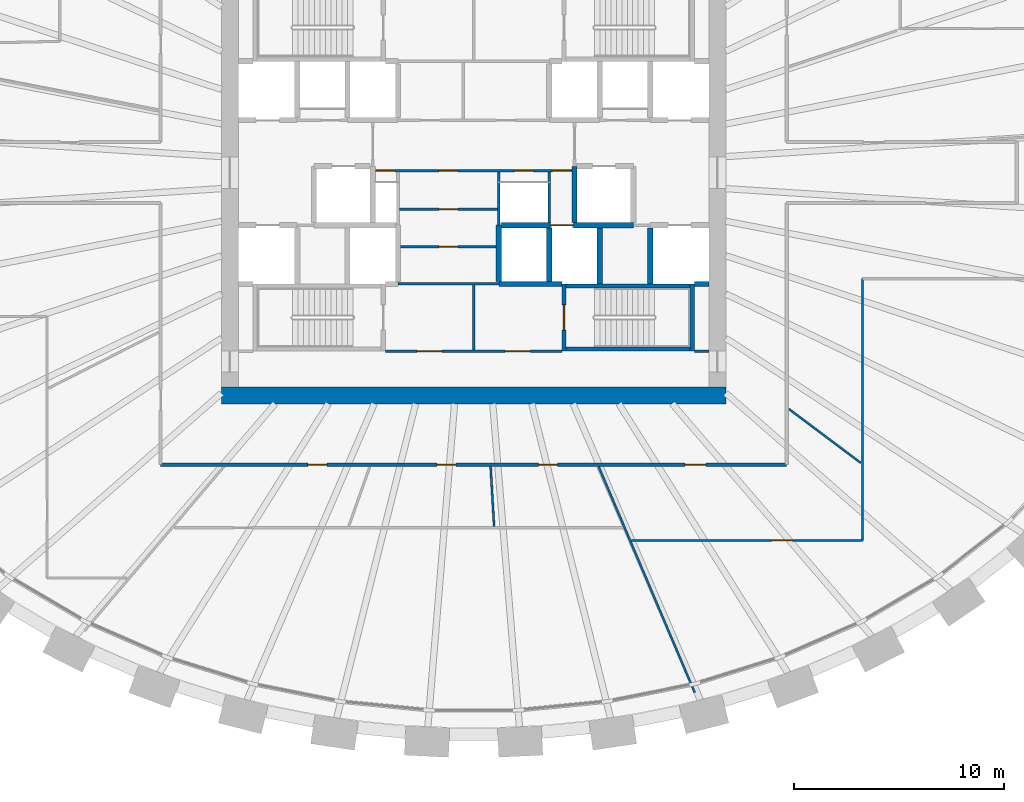
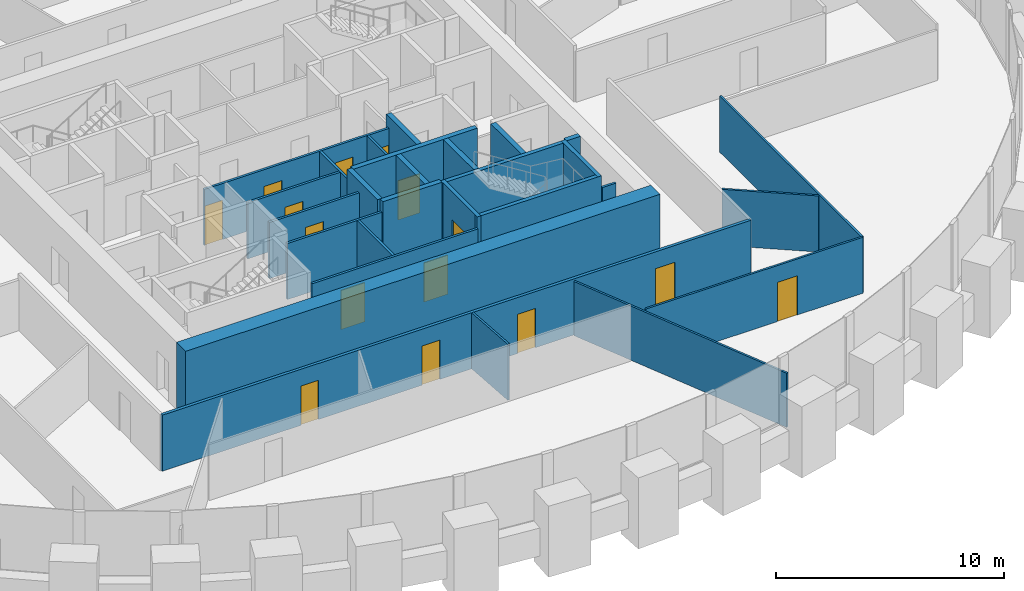
# One storey, part 7 of 11: 28 walls, 15 doors, 15 openings.
"""IFC4 building model written with IfcOpenShell, lengths in metres."""

from ifc_helpers import new_model, si_unit, direction, frame, frame_2d, origin, place, context, subcontext, project, spatial, rectangle, extrude, source, transform, mapped, material, layer, layer_set, type_object, element, fill, save


model = new_model("IFC4")

# Units and contexts
model_context = context("Model", 3, precision=1e-05, world=origin(), true_north=direction((0.0, 1.0)))
body_context = subcontext(model_context, "Body", "Model", "MODEL_VIEW")
ifc_project = project(units=[si_unit("LENGTHUNIT", "METRE"), si_unit("AREAUNIT", "SQUARE_METRE"), si_unit("VOLUMEUNIT", "CUBIC_METRE"), si_unit("PLANEANGLEUNIT", "RADIAN"), si_unit("MASSUNIT", "GRAM", prefix="KILO")], contexts=[model_context])

# Site, building, storey
site_placement = place(None, origin())
site = spatial("IfcSite", under=ifc_project, at=site_placement, CompositionType="ELEMENT")
building_placement = place(site_placement, origin())
building = spatial("IfcBuilding", under=site, at=building_placement, Name="Embergate Tower", CompositionType="ELEMENT")
storey_placement = place(building_placement, frame((0.0, 0.0, 230.699951171875)))
storey = spatial("IfcBuildingStorey", under=building, at=storey_placement, Name="L53", CompositionType="ELEMENT", Elevation=230.699951171875)

# Walls
ifc_material_1 = material(Name="Concrete C70", Category="concrete")
ifc_layer_1 = layer(ifc_material_1, 0.800048828125)
ifc_layer_set_1 = layer_set([ifc_layer_1], Name="Concrete C70")
wall_type_1 = type_object("IfcWallType", Name="Core outer wall C70 800", PredefinedType="SHEAR", material=ifc_layer_set_1)
shared_shape_1 = source(origin(), body_context, "Body", "SweptSolid", [
    extrude(rectangle(XDim=24.0, YDim=0.800048828125, at=frame_2d((12.0, 0.0))), origin(), (0.0, 0.0, 1.0), 3.800048828125),
])
wall_1_placement = place(storey_placement, frame((-12.0, -10.60009765625, -0.199951171875), z_axis=(0.0, 0.0, 1.0), x_axis=(1.0, 0.0, 0.0)))
element("IfcWall", 1, at=wall_1_placement, inside=storey, type_object=wall_type_1, Name="CW-L53-S", PredefinedType="SHEAR", context=body_context, shape_type="MappedRepresentation", body=[
    mapped(shared_shape_1, transform((0.0, 0.0, 0.0))),
])
ifc_material_2 = material(Name="Concrete C50", Category="concrete")
ifc_layer_2 = layer(ifc_material_2, 0.25)
ifc_layer_set_2 = layer_set([ifc_layer_2], Name="Concrete C50")
wall_type_2 = type_object("IfcWallType", Name="Hoistway wall reinforced concrete 250", PredefinedType="SHEAR", material=ifc_layer_set_2)
shared_shape_2 = source(origin(), body_context, "Body", "SweptSolid", [
    extrude(rectangle(XDim=2.675048828125, YDim=0.25, at=frame_2d((1.33740234375, 0.0))), origin(), (0.0, 0.0, 1.0), 3.60009765625),
])
for number, where, z_axis, x_axis, name in (
    (2, (1.199951171875, -2.5, 0.0), (0.0, 0.0, 1.0), (0.0, -1.0, 0.0), "HW-1 wall"),
    (3, (4.800048828125, -2.375, 0.0), (0.0, 0.0, 1.0), (0.0, 1.0, 0.0), "HW-1 wall"),
):
    element("IfcWall", number, at=place(storey_placement, frame(where, z_axis=z_axis, x_axis=x_axis)), inside=storey, type_object=wall_type_2, Name=name, PredefinedType="SHEAR", context=body_context, shape_type="MappedRepresentation", body=[
        mapped(shared_shape_2, transform((0.0, 0.0, 0.0))),
    ])
ifc_layer_3 = layer(ifc_material_2, 0.199951171875)
ifc_layer_set_3 = layer_set([ifc_layer_3], Name="Concrete C50")
wall_type_3 = type_object("IfcWallType", Name="Stair enclosure wall reinforced concrete 250", PredefinedType="SHEAR", material=ifc_layer_set_3)
shared_shape_3 = source(origin(), body_context, "Body", "SweptSolid", [
    extrude(rectangle(XDim=6.300048828125, YDim=0.199951171875, at=frame_2d((3.14990234375, 0.0))), origin(), (0.0, 0.0, 1.0), 3.60009765625),
])
for number, where, z_axis, x_axis, name in (
    (4, (4.199951171875, -5.39990234375, 0.0), (0.0, 0.0, 1.0), (1.0, 0.0, 0.0), "SE-1 wall"),
    (5, (4.199951171875, -8.39990234375, 0.0), (0.0, 0.0, 1.0), (1.0, 0.0, 0.0), "SE-1 wall"),
):
    element("IfcWall", number, at=place(storey_placement, frame(where, z_axis=z_axis, x_axis=x_axis)), inside=storey, type_object=wall_type_3, Name=name, PredefinedType="SHEAR", context=body_context, shape_type="MappedRepresentation", body=[
        mapped(shared_shape_3, transform((0.0, 0.0, 0.0))),
    ])
shared_shape_4 = source(origin(), body_context, "Body", "SweptSolid", [
    extrude(rectangle(XDim=2.550048828125, YDim=0.25, at=frame_2d((1.27490234375, 0.0))), origin(), (0.0, 0.0, 1.0), 3.60009765625),
])
wall_2_placement = place(storey_placement, frame((3.60009765625, -5.175048828125, 0.0), z_axis=(0.0, 0.0, 1.0), x_axis=(0.0, 1.0, 0.0)))
element("IfcWall", 6, at=wall_2_placement, inside=storey, type_object=wall_type_2, Name="HW-1 wall", PredefinedType="SHEAR", context=body_context, shape_type="MappedRepresentation", body=[
    mapped(shared_shape_4, transform((0.0, 0.0, 0.0))),
])

# Wall, opening, door
shared_shape_5 = source(origin(), body_context, "Body", "SweptSolid", [
    extrude(rectangle(XDim=3.199951171875, YDim=0.199951171875, at=frame_2d((1.60009765625, 0.0))), origin(), (0.0, 0.0, 1.0), 3.60009765625),
])
wall_3_placement = place(storey_placement, frame((4.300048828125, -5.300048828125, 0.0), z_axis=(0.0, 0.0, 1.0), x_axis=(0.0, -1.0, 0.0)))
wall_3 = element("IfcWall", 7, at=wall_3_placement, inside=storey, type_object=wall_type_3, Name="SE-1 wall", PredefinedType="SHEAR", context=body_context, shape_type="MappedRepresentation", body=[
    mapped(shared_shape_5, transform((0.0, 0.0, 0.0))),
])
shared_shape_6 = source(origin(), body_context, "Body", "SweptSolid", [
    extrude(rectangle(XDim=1.199951171875, YDim=2.10009765625, at=frame_2d((0.60009765625, 1.050048828125))), frame((0.0, 0.10986328125, 0.0), z_axis=(0.0, -1.0, 0.0), x_axis=(1.0, 0.0, 0.0)), (0.0, 0.0, 1.0), 0.219970703125),
])
opening_1_placement = place(wall_3_placement, frame((1.0, 0.0, 0.0)))
opening_1 = element("IfcOpeningElement", 8, at=opening_1_placement, cuts=wall_3, Name="Opening IF-2", PredefinedType="OPENING", context=body_context, shape_type="MappedRepresentation", body=[
    mapped(shared_shape_6, transform((0.0, 0.0, 0.0))),
])
ifc_material_3 = material(Name="Stair enclosure door 1200")
door_type_1 = type_object("IfcDoorType", Name="Stair enclosure door 1200", OperationType="SINGLE_SWING_LEFT", PredefinedType="DOOR", material=ifc_material_3)
shared_shape_7 = source(origin(), body_context, "Body", "SweptSolid", [
    extrude(rectangle(XDim=1.199951171875, YDim=2.10009765625, at=frame_2d((0.60009765625, 1.050048828125))), frame((0.0, 0.02490234375, 0.0), z_axis=(0.0, -1.0, 0.0), x_axis=(1.0, 0.0, 0.0)), (0.0, 0.0, 1.0), 0.050048828125),
])
door_1_placement = place(opening_1_placement, origin())
door_1 = element("IfcDoor", 9, at=door_1_placement, inside=storey, type_object=door_type_1, Name="IF-2 door", OperationType="SINGLE_SWING_LEFT", OverallHeight=2.10009765625, OverallWidth=1.199951171875, PredefinedType="DOOR", context=body_context, shape_type="MappedRepresentation", body=[
    mapped(shared_shape_7, transform((0.0, 0.0, 0.0))),
])
fill(opening_1, door_1)

# Wall, openings, doors
ifc_material_4 = material(Name="Core partition blockwork 120")
ifc_layer_4 = layer(ifc_material_4, 0.1201171875)
ifc_layer_set_4 = layer_set([ifc_layer_4], Name="Core partition blockwork 120")
wall_type_4 = type_object("IfcWallType", Name="Core partition blockwork 120", PredefinedType="PARTITIONING", material=ifc_layer_set_4)
shared_shape_8 = source(origin(), body_context, "Body", "SweptSolid", [
    extrude(rectangle(XDim=8.39990234375, YDim=0.1201171875, at=frame_2d((4.199951171875, 0.0))), origin(), (0.0, 0.0, 1.0), 3.0),
])
wall_4_placement = place(storey_placement, frame((-4.199951171875, -8.5, 0.0), z_axis=(0.0, 0.0, 1.0), x_axis=(1.0, 0.0, 0.0)))
wall_4 = element("IfcWall", 10, at=wall_4_placement, inside=storey, type_object=wall_type_4, Name="IP-3 wall", PredefinedType="PARTITIONING", context=body_context, shape_type="MappedRepresentation", body=[
    mapped(shared_shape_8, transform((0.0, 0.0, 0.0))),
])
shared_shape_9 = source(origin(), body_context, "Body", "SweptSolid", [
    extrude(rectangle(XDim=1.199951171875, YDim=2.10009765625, at=frame_2d((0.60009765625, 1.050048828125))), frame((0.0, 0.070068359375, 0.0), z_axis=(0.0, -1.0, 0.0), x_axis=(1.0, 0.0, 0.0)), (0.0, 0.0, 1.0), 0.14013671875),
])
opening_2_placement = place(wall_4_placement, frame((1.5, 0.0, 0.0)))
opening_2 = element("IfcOpeningElement", 11, at=opening_2_placement, cuts=wall_4, Name="Opening IF-3f", PredefinedType="OPENING", context=body_context, shape_type="MappedRepresentation", body=[
    mapped(shared_shape_9, transform((0.0, 0.0, 0.0))),
])
opening_3_placement = place(wall_4_placement, frame((5.699951171875, 0.0, 0.0)))
opening_3 = element("IfcOpeningElement", 12, at=opening_3_placement, cuts=wall_4, Name="Opening IF-3f", PredefinedType="OPENING", context=body_context, shape_type="MappedRepresentation", body=[
    mapped(shared_shape_9, transform((0.0, 0.0, 0.0))),
])
ifc_material_5 = material(Name="Lobby fire door pair 1200")
door_type_2 = type_object("IfcDoorType", Name="Lobby fire door pair 1200", OperationType="DOUBLE_DOOR_SINGLE_SWING", PredefinedType="DOOR", material=ifc_material_5)
door_2_placement = place(opening_2_placement, origin())
door_2 = element("IfcDoor", 13, at=door_2_placement, inside=storey, type_object=door_type_2, Name="IF-3 door", OperationType="DOUBLE_DOOR_SINGLE_SWING", OverallHeight=2.10009765625, OverallWidth=1.199951171875, PredefinedType="DOOR", context=body_context, shape_type="MappedRepresentation", body=[
    mapped(shared_shape_7, transform((0.0, 0.0, 0.0))),
])
fill(opening_2, door_2)
door_3_placement = place(opening_3_placement, origin())
door_3 = element("IfcDoor", 14, at=door_3_placement, inside=storey, type_object=door_type_2, Name="IF-3 door", OperationType="DOUBLE_DOOR_SINGLE_SWING", OverallHeight=2.10009765625, OverallWidth=1.199951171875, PredefinedType="DOOR", context=body_context, shape_type="MappedRepresentation", body=[
    mapped(shared_shape_7, transform((0.0, 0.0, 0.0))),
])
fill(opening_3, door_3)

# Wall, opening, door
shared_shape_10 = source(origin(), body_context, "Body", "SweptSolid", [
    extrude(rectangle(XDim=6.27294921875, YDim=0.25, at=frame_2d((3.136474609375, 0.0))), origin(), (0.0, 0.0, 1.0), 3.60009765625),
])
wall_5_placement = place(storey_placement, frame((7.597900390625, -2.5, 0.0), z_axis=(0.0, 0.0, 1.0), x_axis=(-1.0, 0.0, 0.0)))
wall_5 = element("IfcWall", 15, at=wall_5_placement, inside=storey, type_object=wall_type_2, Name="HW-1 wall", PredefinedType="SHEAR", context=body_context, shape_type="MappedRepresentation", body=[
    mapped(shared_shape_10, transform((0.0, 0.0, 0.0))),
])
shared_shape_11 = source(origin(), body_context, "Body", "SweptSolid", [
    extrude(rectangle(XDim=1.10009765625, YDim=2.10009765625, at=frame_2d((0.550048828125, 1.050048828125))), frame((0.0, 0.135009765625, 0.0), z_axis=(0.0, -1.0, 0.0), x_axis=(1.0, 0.0, 0.0)), (0.0, 0.0, 1.0), 0.27001953125),
])
opening_4_placement = place(wall_5_placement, frame((2.847900390625, 0.0, 0.0)))
opening_4 = element("IfcOpeningElement", 16, at=opening_4_placement, cuts=wall_5, Name="Opening LD", PredefinedType="OPENING", context=body_context, shape_type="MappedRepresentation", body=[
    mapped(shared_shape_11, transform((0.0, 0.0, 0.0))),
])
ifc_material_6 = material(Name="Landing door sliding 1100")
door_type_3 = type_object("IfcDoorType", Name="Landing door sliding 1100", OperationType="SLIDING_TO_LEFT", PredefinedType="DOOR", material=ifc_material_6)
shared_shape_12 = source(origin(), body_context, "Body", "SweptSolid", [
    extrude(rectangle(XDim=1.10009765625, YDim=2.10009765625, at=frame_2d((0.550048828125, 1.050048828125))), frame((0.0, 0.02490234375, 0.0), z_axis=(0.0, -1.0, 0.0), x_axis=(1.0, 0.0, 0.0)), (0.0, 0.0, 1.0), 0.050048828125),
])
door_4_placement = place(opening_4_placement, origin())
door_4 = element("IfcDoor", 17, at=door_4_placement, inside=storey, type_object=door_type_3, Name="LD door", OperationType="SLIDING_TO_RIGHT", OverallHeight=2.10009765625, OverallWidth=1.10009765625, PredefinedType="DOOR", context=body_context, shape_type="MappedRepresentation", body=[
    mapped(shared_shape_12, transform((0.0, 0.0, 0.0))),
])
fill(opening_4, door_4)

# Wall
shared_shape_13 = source(origin(), body_context, "Body", "SweptSolid", [
    extrude(rectangle(XDim=3.0, YDim=0.25, at=frame_2d((1.5, 0.0))), origin(), (0.0, 0.0, 1.0), 3.60009765625),
])
wall_6_placement = place(storey_placement, frame((1.199951171875, -5.300048828125, 0.0), z_axis=(0.0, 0.0, 1.0), x_axis=(1.0, 0.0, 0.0)))
element("IfcWall", 18, at=wall_6_placement, inside=storey, type_object=wall_type_2, Name="HW-1 wall", PredefinedType="SHEAR", context=body_context, shape_type="MappedRepresentation", body=[
    mapped(shared_shape_13, transform((0.0, 0.0, 0.0))),
])

# Wall, openings, doors
shared_shape_14 = source(origin(), body_context, "Body", "SweptSolid", [
    extrude(rectangle(XDim=9.35009765625, YDim=0.1201171875, at=frame_2d((4.675048828125, 0.0))), origin(), (0.0, 0.0, 1.0), 3.0),
])
wall_7_placement = place(storey_placement, frame((-4.675048828125, 0.10009765625, 0.0), z_axis=(0.0, 0.0, 1.0), x_axis=(1.0, 0.0, 0.0)))
wall_7 = element("IfcWall", 19, at=wall_7_placement, inside=storey, type_object=wall_type_4, Name="IP-3 wall", PredefinedType="PARTITIONING", context=body_context, shape_type="MappedRepresentation", body=[
    mapped(shared_shape_14, transform((0.0, 0.0, 0.0))),
])
shared_shape_15 = source(origin(), body_context, "Body", "SweptSolid", [
    extrude(rectangle(XDim=0.89990234375, YDim=2.10009765625, at=frame_2d((0.449951171875, 1.050048828125))), frame((0.0, 0.070068359375, 0.0), z_axis=(0.0, -1.0, 0.0), x_axis=(1.0, 0.0, 0.0)), (0.0, 0.0, 1.0), 0.14013671875),
])
opening_5_placement = place(wall_7_placement, frame((8.425048828125, 0.0, 0.0)))
opening_5 = element("IfcOpeningElement", 20, at=opening_5_placement, cuts=wall_7, Name="Opening IF-3c", PredefinedType="OPENING", context=body_context, shape_type="MappedRepresentation", body=[
    mapped(shared_shape_15, transform((0.0, 0.0, 0.0))),
])
opening_6_placement = place(wall_7_placement, frame((0.02490234375, 0.0, 0.0)))
opening_6 = element("IfcOpeningElement", 21, at=opening_6_placement, cuts=wall_7, Name="Opening ID-1", PredefinedType="OPENING", context=body_context, shape_type="MappedRepresentation", body=[
    mapped(shared_shape_15, transform((0.0, 0.0, 0.0))),
])
opening_7_placement = place(wall_7_placement, frame((6.625, 0.0, 0.0)))
opening_7 = element("IfcOpeningElement", 22, at=opening_7_placement, cuts=wall_7, Name="Opening ID-1", PredefinedType="OPENING", context=body_context, shape_type="MappedRepresentation", body=[
    mapped(shared_shape_15, transform((0.0, 0.0, 0.0))),
])
opening_8_placement = place(wall_7_placement, frame((3.02490234375, 0.0, 0.0)))
opening_8 = element("IfcOpeningElement", 23, at=opening_8_placement, cuts=wall_7, Name="Opening ID-1", PredefinedType="OPENING", context=body_context, shape_type="MappedRepresentation", body=[
    mapped(shared_shape_15, transform((0.0, 0.0, 0.0))),
])
ifc_material_7 = material(Name="Lobby fire door pair 900")
door_type_4 = type_object("IfcDoorType", Name="Lobby fire door pair 900", OperationType="DOUBLE_DOOR_SINGLE_SWING", PredefinedType="DOOR", material=ifc_material_7)
shared_shape_16 = source(origin(), body_context, "Body", "SweptSolid", [
    extrude(rectangle(XDim=0.89990234375, YDim=2.10009765625, at=frame_2d((0.449951171875, 1.050048828125))), frame((0.0, 0.02490234375, 0.0), z_axis=(0.0, -1.0, 0.0), x_axis=(1.0, 0.0, 0.0)), (0.0, 0.0, 1.0), 0.050048828125),
])
door_5_placement = place(opening_5_placement, origin())
door_5 = element("IfcDoor", 24, at=door_5_placement, inside=storey, type_object=door_type_4, Name="IF-3 door", OperationType="DOUBLE_DOOR_SINGLE_SWING", OverallHeight=2.10009765625, OverallWidth=0.89990234375, PredefinedType="DOOR", context=body_context, shape_type="MappedRepresentation", body=[
    mapped(shared_shape_16, transform((0.0, 0.0, 0.0))),
])
fill(opening_5, door_5)
ifc_material_8 = material(Name="Interior door 900")
door_type_5 = type_object("IfcDoorType", Name="Interior door 900", OperationType="SINGLE_SWING_LEFT", PredefinedType="DOOR", material=ifc_material_8)
door_6_placement = place(opening_6_placement, origin())
door_6 = element("IfcDoor", 25, at=door_6_placement, inside=storey, type_object=door_type_5, Name="ID-1 door", OperationType="SINGLE_SWING_LEFT", OverallHeight=2.10009765625, OverallWidth=0.89990234375, PredefinedType="DOOR", context=body_context, shape_type="MappedRepresentation", body=[
    mapped(shared_shape_16, transform((0.0, 0.0, 0.0))),
])
fill(opening_6, door_6)
door_7_placement = place(opening_7_placement, origin())
door_7 = element("IfcDoor", 26, at=door_7_placement, inside=storey, type_object=door_type_5, Name="ID-1 door", OperationType="SINGLE_SWING_LEFT", OverallHeight=2.10009765625, OverallWidth=0.89990234375, PredefinedType="DOOR", context=body_context, shape_type="MappedRepresentation", body=[
    mapped(shared_shape_16, transform((0.0, 0.0, 0.0))),
])
fill(opening_7, door_7)
door_8_placement = place(opening_8_placement, origin())
door_8 = element("IfcDoor", 27, at=door_8_placement, inside=storey, type_object=door_type_5, Name="ID-1 door", OperationType="SINGLE_SWING_RIGHT", OverallHeight=2.10009765625, OverallWidth=0.89990234375, PredefinedType="DOOR", context=body_context, shape_type="MappedRepresentation", body=[
    mapped(shared_shape_16, transform((0.0, 0.0, 0.0))),
])
fill(opening_8, door_8)

# Walls
shared_shape_17 = source(origin(), body_context, "Body", "SweptSolid", [
    extrude(rectangle(XDim=2.5400390625, YDim=0.1201171875, at=frame_2d((1.27001953125, 0.0))), origin(), (0.0, 0.0, 1.0), 3.0),
])
wall_8_placement = place(storey_placement, frame((1.199951171875, 0.0400390625, 0.0), z_axis=(0.0, 0.0, 1.0), x_axis=(0.0, -1.0, 0.0)))
element("IfcWall", 28, at=wall_8_placement, inside=storey, type_object=wall_type_4, Name="IP-3 wall", PredefinedType="PARTITIONING", context=body_context, shape_type="MappedRepresentation", body=[
    mapped(shared_shape_17, transform((0.0, 0.0, 0.0))),
])
shared_shape_18 = source(origin(), body_context, "Body", "SweptSolid", [
    extrude(rectangle(XDim=2.4150390625, YDim=0.1201171875, at=frame_2d((1.20751953125, 0.0))), origin(), (0.0, 0.0, 1.0), 3.0),
])
wall_9_placement = place(storey_placement, frame((3.60009765625, -2.375, 0.0), z_axis=(0.0, 0.0, 1.0), x_axis=(0.0, 1.0, 0.0)))
element("IfcWall", 29, at=wall_9_placement, inside=storey, type_object=wall_type_4, Name="IP-3 wall", PredefinedType="PARTITIONING", context=body_context, shape_type="MappedRepresentation", body=[
    mapped(shared_shape_18, transform((0.0, 0.0, 0.0))),
])
shared_shape_19 = source(origin(), body_context, "Body", "SweptSolid", [
    extrude(rectangle(XDim=3.079833984375, YDim=0.1201171875, at=frame_2d((1.5400390625, 0.0))), origin(), (0.0, 0.0, 1.0), 3.0),
])
wall_10_placement = place(storey_placement, frame((0.0, -8.43994140625, 0.0), z_axis=(0.0, 0.0, 1.0), x_axis=(0.0, 1.0, 0.0)))
element("IfcWall", 30, at=wall_10_placement, inside=storey, type_object=wall_type_4, Name="IP-3 wall", PredefinedType="PARTITIONING", context=body_context, shape_type="MappedRepresentation", body=[
    mapped(shared_shape_19, transform((0.0, 0.0, 0.0))),
])
shared_shape_20 = source(origin(), body_context, "Body", "SweptSolid", [
    extrude(rectangle(XDim=4.800048828125, YDim=0.1201171875, at=frame_2d((2.39990234375, 0.0))), origin(), (0.0, 0.0, 1.0), 3.0),
])
wall_11_placement = place(storey_placement, frame((1.199951171875, -5.300048828125, 0.0), z_axis=(0.0, 0.0, 1.0), x_axis=(-1.0, 0.0, 0.0)))
element("IfcWall", 31, at=wall_11_placement, inside=storey, type_object=wall_type_4, Name="IP-3 wall", PredefinedType="PARTITIONING", context=body_context, shape_type="MappedRepresentation", body=[
    mapped(shared_shape_20, transform((0.0, 0.0, 0.0))),
])
shared_shape_21 = source(origin(), body_context, "Body", "SweptSolid", [
    extrude(rectangle(XDim=3.196044921875, YDim=0.199951171875, at=frame_2d((1.59814453125, 0.0))), origin(), (0.0, 0.0, 1.0), 3.60009765625),
])
wall_12_placement = place(storey_placement, frame((10.39990234375, -8.498046875, 0.0), z_axis=(0.0, 0.0, 1.0), x_axis=(0.0, 1.0, 0.0)))
element("IfcWall", 32, at=wall_12_placement, inside=storey, type_object=wall_type_3, Name="SE-1 wall", PredefinedType="SHEAR", context=body_context, shape_type="MappedRepresentation", body=[
    mapped(shared_shape_21, transform((0.0, 0.0, 0.0))),
])
shared_shape_22 = source(origin(), body_context, "Body", "SweptSolid", [
    extrude(rectangle(XDim=0.697998046875, YDim=0.25, at=frame_2d((0.34912109375, 0.0))), origin(), (0.0, 0.0, 1.0), 3.60009765625),
])
wall_13_placement = place(storey_placement, frame((10.501953125, -5.300048828125, 0.0), z_axis=(0.0, 0.0, 1.0), x_axis=(1.0, 0.0, 0.0)))
element("IfcWall", 33, at=wall_13_placement, inside=storey, type_object=wall_type_2, Name="HW-1 wall", PredefinedType="SHEAR", context=body_context, shape_type="MappedRepresentation", body=[
    mapped(shared_shape_22, transform((0.0, 0.0, 0.0))),
])
shared_shape_23 = source(origin(), body_context, "Body", "SweptSolid", [
    extrude(rectangle(XDim=2.671142578125, YDim=0.25, at=frame_2d((1.33544921875, 0.0))), origin(), (0.0, 0.0, 1.0), 3.60009765625),
])
for number, where, z_axis, x_axis, name in (
    (34, (6.0, -5.298095703125, 0.0), (0.0, 0.0, 1.0), (0.0, 1.0, 0.0), "HW-1 wall"),
    (35, (8.39990234375, -2.626953125, 0.0), (0.0, 0.0, 1.0), (0.0, -1.0, 0.0), "HW-1 wall"),
):
    element("IfcWall", number, at=place(storey_placement, frame(where, z_axis=z_axis, x_axis=x_axis)), inside=storey, type_object=wall_type_2, Name=name, PredefinedType="SHEAR", context=body_context, shape_type="MappedRepresentation", body=[
        mapped(shared_shape_23, transform((0.0, 0.0, 0.0))),
    ])
shared_shape_24 = source(origin(), body_context, "Body", "SweptSolid", [
    extrude(rectangle(XDim=0.697998046875, YDim=0.1201171875, at=frame_2d((0.34912109375, 0.0))), origin(), (0.0, 0.0, 1.0), 3.0),
])
wall_14_placement = place(storey_placement, frame((11.199951171875, -8.5, 0.0), z_axis=(0.0, 0.0, 1.0), x_axis=(-1.0, 0.0, 0.0)))
element("IfcWall", 36, at=wall_14_placement, inside=storey, type_object=wall_type_4, Name="IP-3 wall", PredefinedType="PARTITIONING", context=body_context, shape_type="MappedRepresentation", body=[
    mapped(shared_shape_24, transform((0.0, 0.0, 0.0))),
])

# Wall, opening, door
shared_shape_25 = source(origin(), body_context, "Body", "SweptSolid", [
    extrude(rectangle(XDim=4.550048828125, YDim=0.1201171875, at=frame_2d((2.27490234375, 0.0))), origin(), (0.0, 0.0, 1.0), 3.0),
])
wall_15_placement = place(storey_placement, frame((1.074951171875, -3.51806640625, 0.0), z_axis=(0.0, 0.0, 1.0), x_axis=(-1.0, 0.0, 0.0)))
wall_15 = element("IfcWall", 37, at=wall_15_placement, inside=storey, type_object=wall_type_4, Name="IP-3 wall", PredefinedType="PARTITIONING", context=body_context, shape_type="MappedRepresentation", body=[
    mapped(shared_shape_25, transform((0.0, 0.0, 0.0))),
])
opening_9_placement = place(wall_15_placement, frame((1.824951171875, 0.0, 0.0)))
opening_9 = element("IfcOpeningElement", 38, at=opening_9_placement, cuts=wall_15, Name="Opening ID-1", PredefinedType="OPENING", context=body_context, shape_type="MappedRepresentation", body=[
    mapped(shared_shape_15, transform((0.0, 0.0, 0.0))),
])
door_9_placement = place(opening_9_placement, origin())
door_9 = element("IfcDoor", 39, at=door_9_placement, inside=storey, type_object=door_type_5, Name="ID-1 door", OperationType="SINGLE_SWING_LEFT", OverallHeight=2.10009765625, OverallWidth=0.89990234375, PredefinedType="DOOR", context=body_context, shape_type="MappedRepresentation", body=[
    mapped(shared_shape_16, transform((0.0, 0.0, 0.0))),
])
fill(opening_9, door_9)

shared_shape_26 = source(origin(), body_context, "Body", "SweptSolid", [
    extrude(rectangle(XDim=4.679931640625, YDim=0.1201171875, at=frame_2d((2.33984375, 0.0))), origin(), (0.0, 0.0, 1.0), 3.0),
])
wall_16_placement = place(storey_placement, frame((1.139892578125, -1.736083984375, 0.0), z_axis=(0.0, 0.0, 1.0), x_axis=(-1.0, 0.0, 0.0)))
wall_16 = element("IfcWall", 40, at=wall_16_placement, inside=storey, type_object=wall_type_4, Name="IP-3 wall", PredefinedType="PARTITIONING", context=body_context, shape_type="MappedRepresentation", body=[
    mapped(shared_shape_26, transform((0.0, 0.0, 0.0))),
])
opening_10_placement = place(wall_16_placement, frame((1.889892578125, 0.0, 0.0)))
opening_10 = element("IfcOpeningElement", 41, at=opening_10_placement, cuts=wall_16, Name="Opening ID-1", PredefinedType="OPENING", context=body_context, shape_type="MappedRepresentation", body=[
    mapped(shared_shape_15, transform((0.0, 0.0, 0.0))),
])
door_10_placement = place(opening_10_placement, origin())
door_10 = element("IfcDoor", 42, at=door_10_placement, inside=storey, type_object=door_type_5, Name="ID-1 door", OperationType="SINGLE_SWING_LEFT", OverallHeight=2.10009765625, OverallWidth=0.89990234375, PredefinedType="DOOR", context=body_context, shape_type="MappedRepresentation", body=[
    mapped(shared_shape_16, transform((0.0, 0.0, 0.0))),
])
fill(opening_10, door_10)

# Wall
ifc_material_9 = material(Name="Partition dry-lined 100 wet")
ifc_layer_5 = layer(ifc_material_9, 0.10009765625)
ifc_layer_set_5 = layer_set([ifc_layer_5], Name="Partition dry-lined 100 wet")
wall_type_5 = type_object("IfcWallType", Name="Partition dry-lined 100 wet", PredefinedType="PLUMBINGWALL", material=ifc_layer_set_5)
shared_shape_27 = source(origin(), body_context, "Body", "SweptSolid", [
    extrude(rectangle(XDim=11.678955078125, YDim=0.10009765625, at=frame_2d((5.83935546875, 0.0))), origin(), (0.0, 0.0, 1.0), 2.900146484375),
])
wall_17_placement = place(storey_placement, frame((10.52099609375, -24.742919921875, 0.0), z_axis=(0.0, 0.0, 1.0), x_axis=(-0.391303971725, 0.92026148551, 0.0)))
element("IfcWall", 43, at=wall_17_placement, inside=storey, type_object=wall_type_5, Name="IP-1 wall", PredefinedType="PLUMBINGWALL", context=body_context, shape_type="MappedRepresentation", body=[
    mapped(shared_shape_27, transform((0.0, 0.0, 0.0))),
])

# Wall, openings, doors
ifc_material_10 = material(Name="Corridor wall dry-lined 150 wet")
ifc_layer_6 = layer(ifc_material_10, 0.14990234375)
ifc_layer_set_6 = layer_set([ifc_layer_6], Name="Corridor wall dry-lined 150 wet")
wall_type_6 = type_object("IfcWallType", Name="Corridor wall dry-lined 150 wet", PredefinedType="PLUMBINGWALL", material=ifc_layer_set_6)
shared_shape_28 = source(origin(), body_context, "Body", "SweptSolid", [
    extrude(rectangle(XDim=29.7998046875, YDim=0.14990234375, at=frame_2d((14.89990234375, 0.0))), origin(), (0.0, 0.0, 1.0), 3.0),
])
wall_18_placement = place(storey_placement, frame((14.89990234375, -13.89990234375, 0.0), z_axis=(0.0, 0.0, 1.0), x_axis=(-1.0, 0.0, 0.0)))
wall_18 = element("IfcWall", 44, at=wall_18_placement, inside=storey, type_object=wall_type_6, Name="IP-2 wall", PredefinedType="PLUMBINGWALL", context=body_context, shape_type="MappedRepresentation", body=[
    mapped(shared_shape_28, transform((0.0, 0.0, 0.0))),
])
shared_shape_29 = source(origin(), body_context, "Body", "SweptSolid", [
    extrude(rectangle(XDim=0.89990234375, YDim=2.10009765625, at=frame_2d((0.449951171875, 1.050048828125))), frame((0.0, 0.0849609375, 0.0), z_axis=(0.0, -1.0, 0.0), x_axis=(1.0, 0.0, 0.0)), (0.0, 0.0, 1.0), 0.169921875),
])
opening_11_placement = place(wall_18_placement, frame((21.888916015625, 0.0, 0.0)))
opening_11 = element("IfcOpeningElement", 45, at=opening_11_placement, cuts=wall_18, Name="Opening IF-1c", PredefinedType="OPENING", context=body_context, shape_type="MappedRepresentation", body=[
    mapped(shared_shape_29, transform((0.0, 0.0, 0.0))),
])
opening_12_placement = place(wall_18_placement, frame((15.7451171875, 0.0, 0.0)))
opening_12 = element("IfcOpeningElement", 46, at=opening_12_placement, cuts=wall_18, Name="Opening IF-1c", PredefinedType="OPENING", context=body_context, shape_type="MappedRepresentation", body=[
    mapped(shared_shape_29, transform((0.0, 0.0, 0.0))),
])
opening_13_placement = place(wall_18_placement, frame((10.9130859375, 0.0, 0.0)))
opening_13 = element("IfcOpeningElement", 47, at=opening_13_placement, cuts=wall_18, Name="Opening IF-1c", PredefinedType="OPENING", context=body_context, shape_type="MappedRepresentation", body=[
    mapped(shared_shape_29, transform((0.0, 0.0, 0.0))),
])
shared_shape_30 = source(origin(), body_context, "Body", "SweptSolid", [
    extrude(rectangle(XDim=1.0, YDim=2.10009765625, at=frame_2d((0.5, 1.050048828125))), frame((0.0, 0.0849609375, 0.0), z_axis=(0.0, -1.0, 0.0), x_axis=(1.0, 0.0, 0.0)), (0.0, 0.0, 1.0), 0.169921875),
])
opening_14_placement = place(wall_18_placement, frame((3.846923828125, 0.0, 0.0)))
opening_14 = element("IfcOpeningElement", 48, at=opening_14_placement, cuts=wall_18, Name="Opening ID-2", PredefinedType="OPENING", context=body_context, shape_type="MappedRepresentation", body=[
    mapped(shared_shape_30, transform((0.0, 0.0, 0.0))),
])
ifc_material_11 = material(Name="Escape fire door 900")
door_type_6 = type_object("IfcDoorType", Name="Escape fire door 900", OperationType="SINGLE_SWING_LEFT", PredefinedType="DOOR", material=ifc_material_11)
door_11_placement = place(opening_11_placement, origin())
door_11 = element("IfcDoor", 49, at=door_11_placement, inside=storey, type_object=door_type_6, Name="IF-1 door", OperationType="SINGLE_SWING_RIGHT", OverallHeight=2.10009765625, OverallWidth=0.89990234375, PredefinedType="DOOR", context=body_context, shape_type="MappedRepresentation", body=[
    mapped(shared_shape_16, transform((0.0, 0.0, 0.0))),
])
fill(opening_11, door_11)
door_12_placement = place(opening_12_placement, origin())
door_12 = element("IfcDoor", 50, at=door_12_placement, inside=storey, type_object=door_type_6, Name="IF-1 door", OperationType="SINGLE_SWING_RIGHT", OverallHeight=2.10009765625, OverallWidth=0.89990234375, PredefinedType="DOOR", context=body_context, shape_type="MappedRepresentation", body=[
    mapped(shared_shape_16, transform((0.0, 0.0, 0.0))),
])
fill(opening_12, door_12)
door_13_placement = place(opening_13_placement, origin())
door_13 = element("IfcDoor", 51, at=door_13_placement, inside=storey, type_object=door_type_6, Name="IF-1 door", OperationType="SINGLE_SWING_LEFT", OverallHeight=2.10009765625, OverallWidth=0.89990234375, PredefinedType="DOOR", context=body_context, shape_type="MappedRepresentation", body=[
    mapped(shared_shape_16, transform((0.0, 0.0, 0.0))),
])
fill(opening_13, door_13)
ifc_material_12 = material(Name="Interior door 1000")
door_type_7 = type_object("IfcDoorType", Name="Interior door 1000", OperationType="SINGLE_SWING_LEFT", PredefinedType="DOOR", material=ifc_material_12)
shared_shape_31 = source(origin(), body_context, "Body", "SweptSolid", [
    extrude(rectangle(XDim=1.0, YDim=2.10009765625, at=frame_2d((0.5, 1.050048828125))), frame((0.0, 0.02490234375, 0.0), z_axis=(0.0, -1.0, 0.0), x_axis=(1.0, 0.0, 0.0)), (0.0, 0.0, 1.0), 0.050048828125),
])
door_14_placement = place(opening_14_placement, origin())
door_14 = element("IfcDoor", 52, at=door_14_placement, inside=storey, type_object=door_type_7, Name="ID-2 door", OperationType="SINGLE_SWING_LEFT", OverallHeight=2.10009765625, OverallWidth=1.0, PredefinedType="DOOR", context=body_context, shape_type="MappedRepresentation", body=[
    mapped(shared_shape_31, transform((0.0, 0.0, 0.0))),
])
fill(opening_14, door_14)

# Walls
shared_shape_32 = source(origin(), body_context, "Body", "SweptSolid", [
    extrude(rectangle(XDim=2.8798828125, YDim=0.10009765625, at=frame_2d((1.43994140625, 0.0))), origin(), (0.0, 0.0, 1.0), 3.0),
])
wall_19_placement = place(storey_placement, frame((0.806884765625, -13.97509765625, 0.0), z_axis=(0.0, 0.0, 1.0), x_axis=(0.057648532567, -0.998336940463, 0.0)))
element("IfcWall", 53, at=wall_19_placement, inside=storey, type_object=wall_type_5, Name="IP-1 wall", PredefinedType="PLUMBINGWALL", context=body_context, shape_type="MappedRepresentation", body=[
    mapped(shared_shape_32, transform((0.0, 0.0, 0.0))),
])
ifc_material_13 = material(Name="Partition dry-lined 100")
ifc_layer_7 = layer(ifc_material_13, 0.10009765625)
ifc_layer_set_7 = layer_set([ifc_layer_7], Name="Partition dry-lined 100")
wall_type_7 = type_object("IfcWallType", Name="Partition dry-lined 100", PredefinedType="PARTITIONING", material=ifc_layer_set_7)
shared_shape_33 = source(origin(), body_context, "Body", "SweptSolid", [
    extrude(rectangle(XDim=4.2685546875, YDim=0.10009765625, at=frame_2d((2.13427734375, 0.0))), origin(), (0.0, 0.0, 1.0), 3.0),
])
wall_20_placement = place(storey_placement, frame((15.0048828125, -11.251953125, 0.0), z_axis=(0.0, 0.0, 1.0), x_axis=(0.800027452206, -0.599963395314, 0.0)))
element("IfcWall", 54, at=wall_20_placement, inside=storey, type_object=wall_type_7, Name="IP-1 wall", PredefinedType="PARTITIONING", context=body_context, shape_type="MappedRepresentation", body=[
    mapped(shared_shape_33, transform((0.0, 0.0, 0.0))),
])
shared_shape_34 = source(origin(), body_context, "Body", "SweptSolid", [
    extrude(rectangle(XDim=12.449951171875, YDim=0.10009765625, at=frame_2d((6.22509765625, 0.0))), origin(), (0.0, 0.0, 1.0), 3.0),
])
wall_21_placement = place(storey_placement, frame((18.5, -5.050048828125, 0.0), z_axis=(0.0, 0.0, 1.0), x_axis=(0.0, -1.0, 0.0)))
element("IfcWall", 55, at=wall_21_placement, inside=storey, type_object=wall_type_7, Name="IP-1 wall", PredefinedType="PARTITIONING", context=body_context, shape_type="MappedRepresentation", body=[
    mapped(shared_shape_34, transform((0.0, 0.0, 0.0))),
])

# Wall, opening, door
shared_shape_35 = source(origin(), body_context, "Body", "SweptSolid", [
    extrude(rectangle(XDim=10.98291015625, YDim=0.10009765625, at=frame_2d((5.491455078125, 0.0))), origin(), (0.0, 0.0, 1.0), 3.0),
])
wall_22_placement = place(storey_placement, frame((18.5, -17.5, 0.0), z_axis=(0.0, 0.0, 1.0), x_axis=(-1.0, 0.0, 0.0)))
wall_22 = element("IfcWall", 56, at=wall_22_placement, inside=storey, type_object=wall_type_7, Name="IP-1 wall", PredefinedType="PARTITIONING", context=body_context, shape_type="MappedRepresentation", body=[
    mapped(shared_shape_35, transform((0.0, 0.0, 0.0))),
])
shared_shape_36 = source(origin(), body_context, "Body", "SweptSolid", [
    extrude(rectangle(XDim=1.0, YDim=2.10009765625, at=frame_2d((0.5, 1.050048828125))), frame((0.0, 0.06005859375, 0.0), z_axis=(0.0, -1.0, 0.0), x_axis=(1.0, 0.0, 0.0)), (0.0, 0.0, 1.0), 0.1201171875),
])
opening_15_placement = place(wall_22_placement, frame((3.326904296875, 0.0, 0.0)))
opening_15 = element("IfcOpeningElement", 57, at=opening_15_placement, cuts=wall_22, Name="Opening ID-2", PredefinedType="OPENING", context=body_context, shape_type="MappedRepresentation", body=[
    mapped(shared_shape_36, transform((0.0, 0.0, 0.0))),
])
door_15_placement = place(opening_15_placement, origin())
door_15 = element("IfcDoor", 58, at=door_15_placement, inside=storey, type_object=door_type_7, Name="ID-2 door", OperationType="SINGLE_SWING_RIGHT", OverallHeight=2.10009765625, OverallWidth=1.0, PredefinedType="DOOR", context=body_context, shape_type="MappedRepresentation", body=[
    mapped(shared_shape_31, transform((0.0, 0.0, 0.0))),
])
fill(opening_15, door_15)

save(model, "model.ifc")
